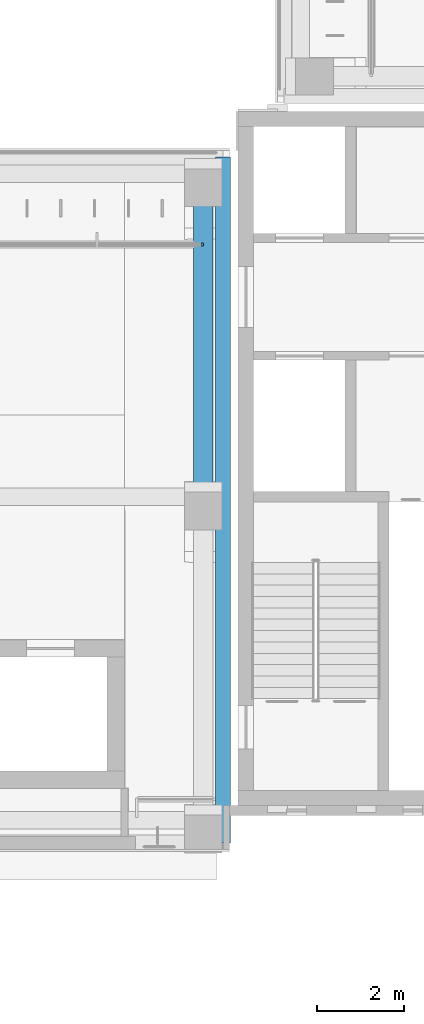
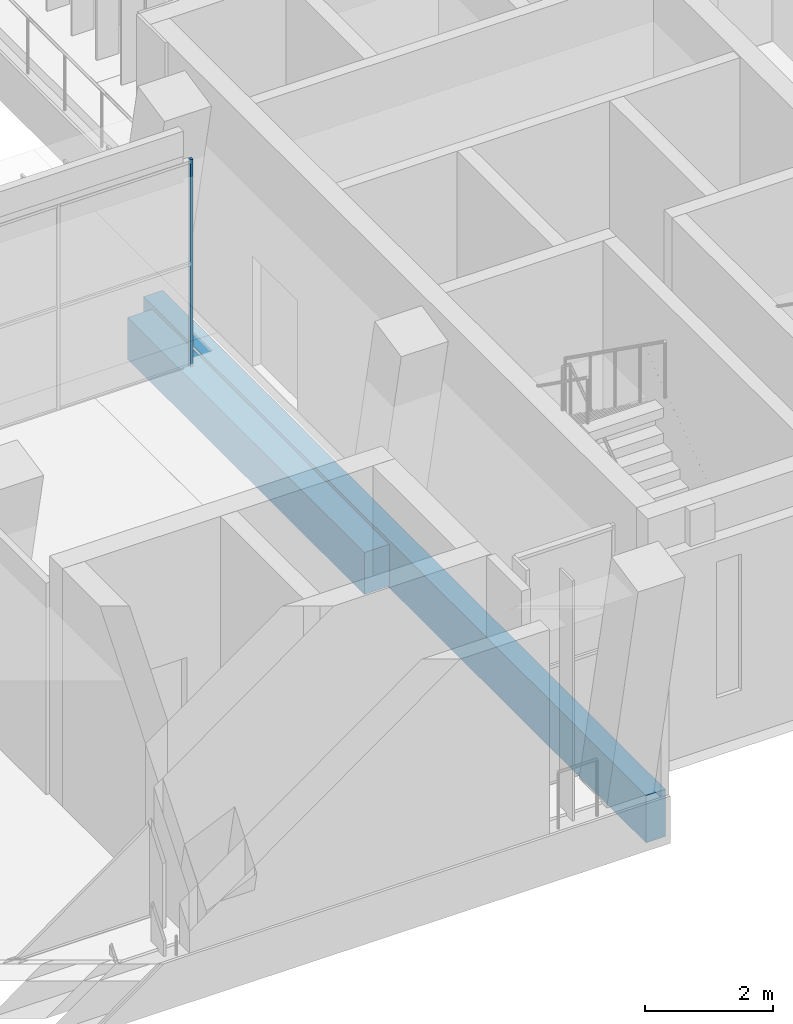
# One storey, part 17 of 92: 2 beams, 1 member, 1 element without a shape of its own.
"""IFC4 building model written with IfcOpenShell, lengths in metres."""

import ifcopenshell
import ifcopenshell.guid

model = None  # the IFC model being written
_history = None  # IfcOwnerHistory: only IFC2X3 demands one
_inside = {}  # id of a spatial element -> (the spatial element, [elements in it])
_under = {}  # id of a project, library or spatial element -> (it, [spatial elements below it])
_declared = {}  # id of a project -> (the project, [libraries it declares])
_typed = {}  # id of a type object -> (the type object, [elements of that type])
_made_of = {}  # id of a material, layer set ... -> (it, [elements and type objects made of it])


def new_model(schema):
    """Start an empty IFC model of exactly this schema.

    Asked for "IFC4X3", IfcOpenShell would pick the latest addendum, in which some entities
    have other attributes; the version numbers below select the first issue.
    IFC2X3 requires an IfcOwnerHistory on every rooted entity: one is made here for all.
    """
    global model, _history
    if schema == "IFC4X3":
        model = ifcopenshell.file(schema_version=(4, 3, 0, 0))
    else:
        model = ifcopenshell.file(schema=schema)
    _inside.clear()
    _under.clear()
    _declared.clear()
    _typed.clear()
    _made_of.clear()
    _history = None
    if model.schema == "IFC2X3":
        org = make("IfcOrganization", Name="unknown")
        user = make(
            "IfcPersonAndOrganization",
            ThePerson=make("IfcPerson", FamilyName="unknown"),
            TheOrganization=org,
        )
        app = make(
            "IfcApplication",
            ApplicationDeveloper=org,
            Version="unknown",
            ApplicationFullName="unknown",
            ApplicationIdentifier="unknown",
        )
        _history = make(
            "IfcOwnerHistory",
            OwningUser=user,
            OwningApplication=app,
            ChangeAction="ADDED",
            CreationDate=0,
        )
    return model


def make(cls, **values):
    """One entity of the class cls with the attributes given. An attribute that is None is left unset."""
    return model.create_entity(
        cls, **{name: value for name, value in values.items() if value is not None}
    )


def rooted(cls, **values):
    """An entity with a GlobalId (a new one), such as an element, a storey or a relation."""
    return make(cls, GlobalId=ifcopenshell.guid.new(), OwnerHistory=_history, **values)


def si_unit(unit_type, name, prefix=None):
    """IfcSIUnit, for example si_unit("LENGTHUNIT", "METRE", prefix="MILLI")."""
    return make("IfcSIUnit", UnitType=unit_type, Prefix=prefix, Name=name)


def assignment(units):
    """IfcUnitAssignment: the units of a project."""
    return None if units is None else make("IfcUnitAssignment", Units=units)


def point(xyz):
    """IfcCartesianPoint."""
    return None if xyz is None else make("IfcCartesianPoint", Coordinates=xyz)


def direction(xyz):
    """IfcDirection."""
    return None if xyz is None else make("IfcDirection", DirectionRatios=xyz)


def frame(location, z_axis=None, x_axis=None):
    """IfcAxis2Placement3D, a coordinate frame: its origin and axes. An axis left out is left unset."""
    return make(
        "IfcAxis2Placement3D",
        Location=point(location),
        Axis=direction(z_axis),
        RefDirection=direction(x_axis),
    )


def frame_2d(location, x_axis=None):
    """IfcAxis2Placement2D, a coordinate frame in the plane: its origin and x axis."""
    return make(
        "IfcAxis2Placement2D", Location=point(location), RefDirection=direction(x_axis)
    )


def origin():
    """The frame at (0, 0, 0) with its axes left unset."""
    return frame((0.0, 0.0, 0.0))


def origin_2d():
    """The frame at (0, 0) in the plane with its x axis left unset."""
    return frame_2d((0.0, 0.0))


def place(relative_to, where):
    """IfcLocalPlacement: puts the frame where relative to a parent placement (None: the world)."""
    return make(
        "IfcLocalPlacement", PlacementRelTo=relative_to, RelativePlacement=where
    )


def context(
    kind, dimensions, precision=None, world=None, true_north=None, identifier=None
):
    """IfcGeometricRepresentationContext, for example the 3D "Model" context."""
    return make(
        "IfcGeometricRepresentationContext",
        ContextIdentifier=identifier,
        ContextType=kind,
        CoordinateSpaceDimension=dimensions,
        Precision=precision,
        WorldCoordinateSystem=world,
        TrueNorth=true_north,
    )


def subcontext(parent, identifier, kind, view, scale=None):
    """IfcGeometricRepresentationSubContext, for example "Body" below "Model"."""
    return make(
        "IfcGeometricRepresentationSubContext",
        ContextIdentifier=identifier,
        ContextType=kind,
        ParentContext=parent,
        TargetScale=scale,
        TargetView=view,
    )


def project(units=None, contexts=None):
    """IfcProject with its units and contexts."""
    return rooted(
        "IfcProject",
        Name="project",
        RepresentationContexts=contexts,
        UnitsInContext=assignment(units),
    )


def spatial(cls, under=None, at=None, **own):
    """A site, building, storey or space (cls), placed at a placement, below another one or the project."""
    s = rooted(cls, ObjectPlacement=at, **own)
    if under is not None:
        _under.setdefault(under.id(), (under, []))[1].append(s)
    return s


def profile(cls, at=None, kind="AREA", **sizes):
    """A parametric profile (cls). Its sizes go by their IFC names, for example OverallWidth=200.0."""
    return make(cls, ProfileType=kind, Position=at, **sizes)


def rectangle(**sizes):
    """IfcRectangleProfileDef."""
    return profile("IfcRectangleProfileDef", **sizes)


def extrude(swept, where, along, depth):
    """IfcExtrudedAreaSolid: the profile swept, set in the frame where, extruded along a direction by depth."""
    return make(
        "IfcExtrudedAreaSolid",
        SweptArea=swept,
        Position=where,
        ExtrudedDirection=direction(along),
        Depth=depth,
    )


def shape(context_of_items, identifier, shape_type, items):
    """IfcShapeRepresentation: the items that make up one representation, for example the "Body"."""
    return make(
        "IfcShapeRepresentation",
        ContextOfItems=context_of_items,
        RepresentationIdentifier=identifier,
        RepresentationType=shape_type,
        Items=items,
    )


def material(Name=None, Category=None):
    """IfcMaterial."""
    return make("IfcMaterial", Name=Name, Category=Category)


def material_profile(
    of_material, cross_section, Name=None, Category=None, Priority=None
):
    """IfcMaterialProfile: a cross section and its material."""
    return make(
        "IfcMaterialProfile",
        Name=Name,
        Material=of_material,
        Profile=cross_section,
        Priority=Priority,
        Category=Category,
    )


def profile_set(profiles, Name=None, composite=None):
    """IfcMaterialProfileSet."""
    return make(
        "IfcMaterialProfileSet",
        Name=Name,
        MaterialProfiles=profiles,
        CompositeProfile=composite,
    )


def made_of(thing, what):
    """Note that an element or type object is made of a material, layer set ...; save() writes the relation."""
    if what is not None:
        _made_of.setdefault(what.id(), (what, []))[1].append(thing)
    return thing


def type_object(cls, material=None, **own):
    """A type object (cls), such as IfcWallType, which elements share."""
    return made_of(rooted(cls, **own), material)


def element(
    cls,
    number,
    at=None,
    inside=None,
    cuts=None,
    type_object=None,
    material=None,
    context=None,
    identifier="Body",
    shape_type=None,
    held_by="IfcProductDefinitionShape",
    body=None,
    shapes=None,
    **own,
):
    """One element of the class cls, such as IfcWall. Its Tag is "e" and its number.

    at: its placement. inside: the storey or other place that contains it. cuts: it is an
    opening in that element (IfcRelVoidsElement). A single representation is given by context,
    identifier, shape_type and body (its items); several are given by shapes. held_by: the class
    of the entity that holds the representations. save() writes the other relations.
    """
    e = rooted(cls, Tag="e%d" % number, ObjectPlacement=at, **own)
    if body is not None:
        shapes = [shape(context, identifier, shape_type, body)]
    if shapes is not None:
        e.Representation = make(held_by, Representations=shapes)
    if inside is not None:
        _inside.setdefault(inside.id(), (inside, []))[1].append(e)
    if cuts is not None:
        rooted(
            "IfcRelVoidsElement", RelatingBuildingElement=cuts, RelatedOpeningElement=e
        )
    if type_object is not None:
        _typed.setdefault(type_object.id(), (type_object, []))[1].append(e)
    return made_of(e, material)


def aggregate(whole, parts):
    """IfcRelAggregates: a whole, such as a stair, and the parts it consists of."""
    return rooted("IfcRelAggregates", RelatingObject=whole, RelatedObjects=parts)


def save(model, path):
    """Write the relations noted so far, then the file.

    IfcRelAggregates (storeys below a building ...), IfcRelContainedInSpatialStructure (elements
    in a storey), IfcRelDefinesByType, IfcRelAssociatesMaterial and IfcRelDeclares: one each for
    every whole, place, type object, material and project.
    """
    for whole, parts in _under.values():
        aggregate(whole, parts)
    for where, things in _inside.values():
        rooted(
            "IfcRelContainedInSpatialStructure",
            RelatedElements=things,
            RelatingStructure=where,
        )
    for kind, things in _typed.values():
        rooted("IfcRelDefinesByType", RelatedObjects=things, RelatingType=kind)
    for what, things in _made_of.values():
        rooted("IfcRelAssociatesMaterial", RelatedObjects=things, RelatingMaterial=what)
    for by, libraries in _declared.values():
        rooted("IfcRelDeclares", RelatingContext=by, RelatedDefinitions=libraries)
    model.write(path)


model = new_model("IFC4")

# Units and contexts
model_context = context("Model", 3, precision=1e-05, world=origin(), true_north=direction((0.0, 1.0)))
body_context = subcontext(model_context, "Body", "Model", "MODEL_VIEW")
ifc_project = project(units=[si_unit("LENGTHUNIT", "METRE"), si_unit("AREAUNIT", "SQUARE_METRE"), si_unit("VOLUMEUNIT", "CUBIC_METRE"), si_unit("PLANEANGLEUNIT", "RADIAN"), si_unit("MASSUNIT", "GRAM", prefix="KILO")], contexts=[model_context])

# Site, building, storey
site_placement = place(None, origin())
site = spatial("IfcSite", under=ifc_project, at=site_placement, CompositionType="ELEMENT")
building_placement = place(site_placement, origin())
building = spatial("IfcBuilding", under=site, at=building_placement, Name="Lantern Court Media Centre", CompositionType="ELEMENT")
storey_placement = place(building_placement, frame((0.0, 0.0, 4.800048828125)))
storey = spatial("IfcBuildingStorey", under=building, at=storey_placement, Name="L01", CompositionType="ELEMENT", Elevation=4.800048828125)

# Curtain wall, member
ifc_material_1 = material(Name="Curtain wall bay 2400")
curtain_wall_type = type_object("IfcCurtainWallType", Name="Curtain wall bay 2400", PredefinedType="NOTDEFINED", material=ifc_material_1)
curtain_wall_placement = place(storey_placement, origin())
curtain_wall = element("IfcCurtainWall", 1, at=curtain_wall_placement, inside=storey, type_object=curtain_wall_type, Name="Curtain wall S inner L01", PredefinedType="NOTDEFINED")
ifc_material_2 = material(Name="Anodised aluminium", Category="aluminium")
ifc_material_profile_1 = material_profile(ifc_material_2, rectangle(XDim=0.06005859375, YDim=0.050048828125, at=origin_2d()), Name="AL 50x60")
ifc_profile_set_1 = profile_set([ifc_material_profile_1], Name="Anodised aluminium")
member_type = type_object("IfcMemberType", Name="Curtain wall mullion 50x60", PredefinedType="MULLION", material=ifc_profile_set_1)
member_placement = place(storey_placement, frame((79.27490234375, 60.85009765625, 0.0), z_axis=(0.0, 0.0, 1.0), x_axis=(0.0, 1.0, 0.0)))
member = element("IfcMember", 2, at=member_placement, type_object=member_type, Name="CW2 mullion 4", PredefinedType="MULLION", context=body_context, shape_type="SweptSolid", body=[
    extrude(rectangle(XDim=0.06005859375, YDim=0.050048828125, at=origin_2d()), origin(), (0.0, 0.0, 1.0), 3.949951171875),
])
aggregate(curtain_wall, [member])

# Beams
ifc_material_3 = material(Name="Concrete C35", Category="concrete")
ifc_material_profile_2 = material_profile(ifc_material_3, rectangle(XDim=0.35009765625, YDim=0.89990234375, at=origin_2d()), Name="RC 350x900")
ifc_profile_set_2 = profile_set([ifc_material_profile_2], Name="Concrete C35")
beam_type_1 = type_object("IfcBeamType", Name="RC BEAM 350x900", PredefinedType="BEAM", material=ifc_profile_set_2)
beam_1_placement = place(storey_placement, frame((79.75, 47.14990234375, -0.449951171875), z_axis=(0.0, 1.0, 0.0), x_axis=(-1.0, 0.0, 0.0)))
element("IfcBeam", 3, at=beam_1_placement, inside=storey, type_object=beam_type_1, Name="EB-S-L01-D", PredefinedType="BEAM", context=body_context, shape_type="SweptSolid", body=[
    extrude(rectangle(XDim=0.35009765625, YDim=0.89990234375, at=origin_2d()), origin(), (0.0, 0.0, 1.0), 15.7001953125),
])
ifc_material_profile_3 = material_profile(ifc_material_3, rectangle(XDim=0.449951171875, YDim=0.800048828125, at=origin_2d()), Name="RC 450x800")
ifc_profile_set_3 = profile_set([ifc_material_profile_3], Name="Concrete C35")
beam_type_2 = type_object("IfcBeamType", Name="RC BEAM 450x800", PredefinedType="BEAM", material=ifc_profile_set_3)
beam_2_placement = place(storey_placement, frame((79.300048828125, 55.083251953125, -0.400146484375), z_axis=(0.0, 1.0, 0.0), x_axis=(-1.0, 0.0, 0.0)))
element("IfcBeam", 4, at=beam_2_placement, inside=storey, type_object=beam_type_2, Name="TB-S-L01-7-2", PredefinedType="BEAM", context=body_context, shape_type="SweptSolid", body=[
    extrude(rectangle(XDim=0.449951171875, YDim=0.800048828125, at=origin_2d()), origin(), (0.0, 0.0, 1.0), 7.400146484375),
])

save(model, "model.ifc")
